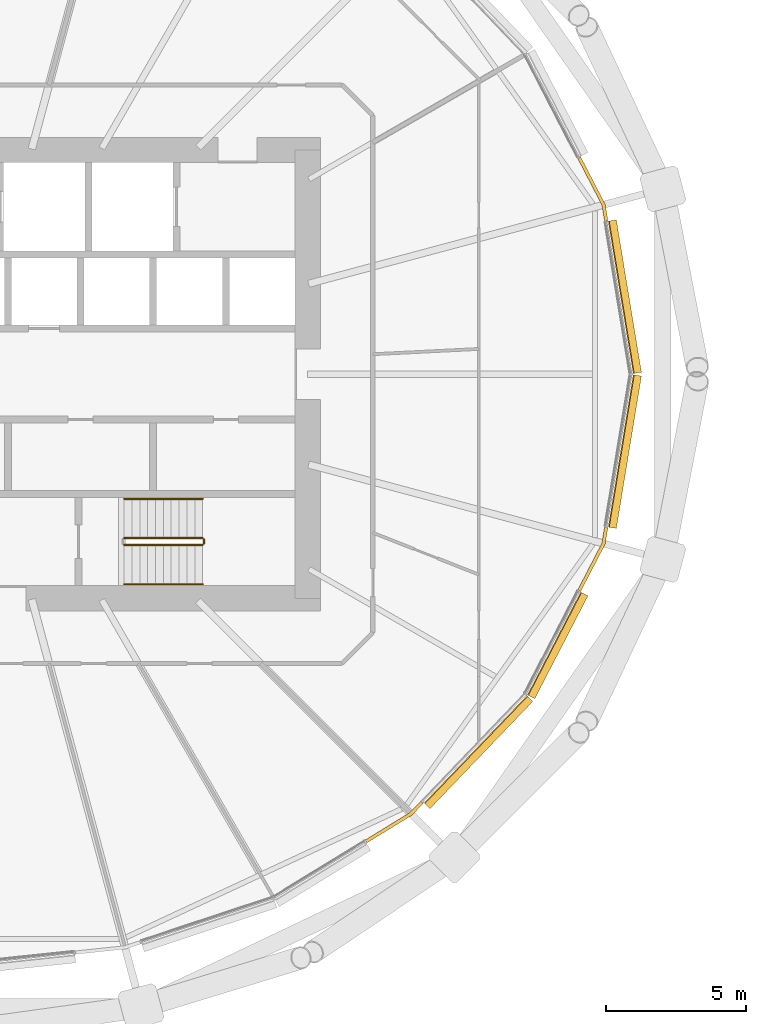
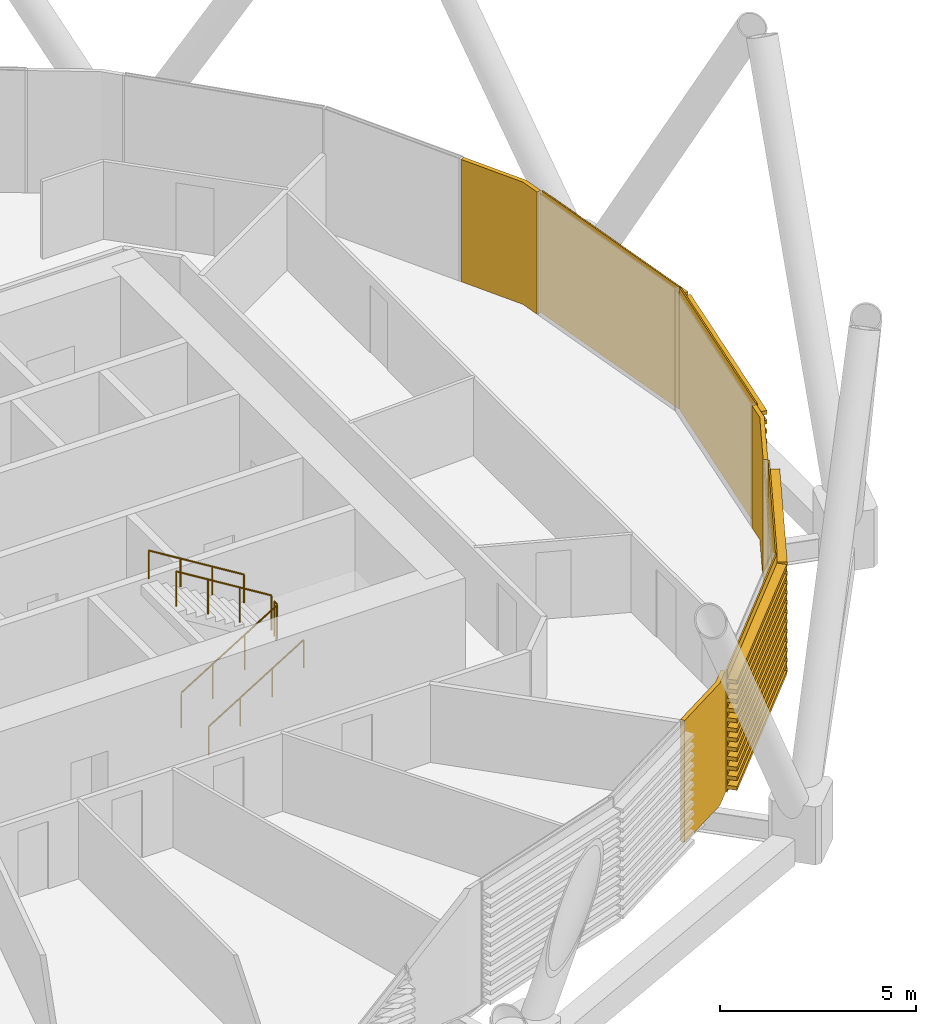
# One storey, part 31 of 36: 7 coverings, 5 railings.
"""IFC4 building model written with IfcOpenShell, lengths in metres."""

from ifc_helpers import new_model, si_unit, direction, frame, origin, origin_2d, place, context, subcontext, project, spatial, polyline, circle, outline, extrude, material, layer, layer_set, material_profile, profile_set, type_object, element, save


model = new_model("IFC4")

# Units and contexts
model_context = context("Model", 3, precision=1e-05, world=origin(), true_north=direction((0.0, 1.0)))
body_context = subcontext(model_context, "Body", "Model", "MODEL_VIEW")
ifc_project = project(units=[si_unit("LENGTHUNIT", "METRE"), si_unit("AREAUNIT", "SQUARE_METRE"), si_unit("VOLUMEUNIT", "CUBIC_METRE"), si_unit("PLANEANGLEUNIT", "RADIAN"), si_unit("MASSUNIT", "GRAM", prefix="KILO")], contexts=[model_context])

# Site, building, storey
site_placement = place(None, origin())
site = spatial("IfcSite", under=ifc_project, at=site_placement, CompositionType="ELEMENT")
building_placement = place(site_placement, origin())
building = spatial("IfcBuilding", under=site, at=building_placement, Name="Rimbun Link Towers", CompositionType="ELEMENT")
storey_placement = place(building_placement, frame((0.0, 0.0, 64.199951171875)))
storey = spatial("IfcBuildingStorey", under=building, at=storey_placement, Name="L15", CompositionType="ELEMENT", Elevation=64.199951171875)

# Coverings
ifc_material_1 = material(Name="Terracotta", Category="masonry")
ifc_layer = layer(ifc_material_1, 0.1201171875)
ifc_layer_set = layer_set([ifc_layer], Name="LINK PIER terracotta cladding 120")
covering_type_1 = type_object("IfcCoveringType", Name="LINK PIER terracotta cladding 120", PredefinedType="CLADDING", material=ifc_layer_set)
covering_1_placement = place(storey_placement, origin())
element("IfcCovering", 1, at=covering_1_placement, inside=storey, type_object=covering_type_1, Name="LINK PIER cladding", PredefinedType="CLADDING", context=body_context, shape_type="SweptSolid", body=[
    extrude(outline(polyline([(-10.106689453125, 7.6904296875), (-9.247314453125, 6.029541015625), (-9.15478515625, 5.467041015625), (-9.036376953125, 5.486572265625), (-9.1318359375, 6.06787109375), (-10.0, 7.74560546875), (-10.106689453125, 7.6904296875)])), origin(), (0.0, 0.0, 1.0), 3.800048828125),
])
covering_2_placement = place(storey_placement, origin())
element("IfcCovering", 2, at=covering_2_placement, inside=storey, type_object=covering_type_1, Name="LINK PIER cladding", PredefinedType="CLADDING", context=body_context, shape_type="SweptSolid", body=[
    extrude(outline(polyline([(-15.7080078125, -15.236083984375), (-16.102294921875, -15.647705078125), (-17.696044921875, -16.6259765625), (-17.63330078125, -16.728271484375), (-16.0263671875, -15.74169921875), (-15.621337890625, -15.319091796875), (-15.7080078125, -15.236083984375)])), origin(), (0.0, 0.0, 1.0), 3.800048828125),
])
covering_3_placement = place(storey_placement, origin())
element("IfcCovering", 3, at=covering_3_placement, inside=storey, type_object=covering_type_1, Name="LINK PIER cladding", PredefinedType="CLADDING", context=body_context, shape_type="SweptSolid", body=[
    extrude(outline(polyline([(-9.15478515625, -5.467041015625), (-9.247314453125, -6.029541015625), (-10.106689453125, -7.6904296875), (-10.0, -7.74560546875), (-9.1318359375, -6.06787109375), (-9.036376953125, -5.486572265625), (-9.15478515625, -5.467041015625)])), origin(), (0.0, 0.0, 1.0), 3.800048828125),
])

# Railings
ifc_material_2 = material(Name="Stainless steel grade 316", Category="steel")
railing_type_1 = type_object("IfcRailingType", Name="Stair guard", PredefinedType="GUARDRAIL", material=ifc_material_2)
railing_1_placement = place(storey_placement, frame((-26.300048828125, -6.10009765625, 0.1728515625)))
element("IfcRailing", 4, at=railing_1_placement, inside=storey, type_object=railing_type_1, Name="L15 ST2 stair guard 1", PredefinedType="GUARDRAIL", context=body_context, shape_type="SweptSolid", body=[
    extrude(circle(Radius=0.02392578125, at=origin_2d()), frame((0.0, 0.0, 1.076171875), z_axis=(0.851089632645, 0.0, 0.525020415988), x_axis=(0.0, 1.0, 0.0)), (0.0, 0.0, 1.0), 3.2900390625),
    extrude(circle(Radius=0.02099609375, at=origin_2d()), origin(), (0.0, 0.0, 1.0), 1.052001953125),
    extrude(circle(Radius=0.02099609375, at=origin_2d()), frame((0.933349609375, 0.0, 0.57568359375)), (0.0, 0.0, 1.0), 1.052001953125),
    extrude(circle(Radius=0.02099609375, at=origin_2d()), frame((1.86669921875, 0.0, 1.151611328125)), (0.0, 0.0, 1.0), 1.052001953125),
    extrude(circle(Radius=0.02099609375, at=origin_2d()), frame((2.800048828125, 0.0, 1.727294921875)), (0.0, 0.0, 1.0), 1.052001953125),
])
railing_2_placement = place(storey_placement, frame((-23.449951171875, -6.050048828125, 1.900146484375)))
element("IfcRailing", 5, at=railing_2_placement, inside=storey, type_object=railing_type_1, Name="L15 ST2 stair guard 2", PredefinedType="GUARDRAIL", context=body_context, shape_type="SweptSolid", body=[
    extrude(circle(Radius=0.02392578125, at=origin_2d()), frame((0.0, 0.0, 1.076171875), z_axis=(0.0, 1.0, 0.0), x_axis=(-1.0, 0.0, 0.0)), (0.0, 0.0, 1.0), 0.150146484375),
    extrude(circle(Radius=0.02099609375, at=origin_2d()), origin(), (0.0, 0.0, 1.0), 1.052001953125),
    extrude(circle(Radius=0.02099609375, at=origin_2d()), frame((0.0, 0.150146484375, 0.0)), (0.0, 0.0, 1.0), 1.052001953125),
])
railing_3_placement = place(storey_placement, frame((-23.5, -5.85009765625, 2.07275390625)))
element("IfcRailing", 6, at=railing_3_placement, inside=storey, type_object=railing_type_1, Name="L15 ST2 stair guard 3", PredefinedType="GUARDRAIL", context=body_context, shape_type="SweptSolid", body=[
    extrude(circle(Radius=0.02392578125, at=origin_2d()), frame((0.0, 0.0, 1.076171875), z_axis=(-0.851089632645, 0.0, 0.525020415988), x_axis=(0.0, -1.0, 0.0)), (0.0, 0.0, 1.0), 3.2900390625),
    extrude(circle(Radius=0.02099609375, at=origin_2d()), origin(), (0.0, 0.0, 1.0), 1.052001953125),
    extrude(circle(Radius=0.02099609375, at=origin_2d()), frame((-0.933349609375, 0.0, 0.57568359375)), (0.0, 0.0, 1.0), 1.052001953125),
    extrude(circle(Radius=0.02099609375, at=origin_2d()), frame((-1.86669921875, 0.0, 1.151611328125)), (0.0, 0.0, 1.0), 1.052001953125),
    extrude(circle(Radius=0.02099609375, at=origin_2d()), frame((-2.800048828125, 0.0, 1.727294921875)), (0.0, 0.0, 1.0), 1.052001953125),
])
ifc_material_3 = material(Name="Stainless steel grade 316", Category="steel")
railing_type_2 = type_object("IfcRailingType", Name="Stair handrail", PredefinedType="HANDRAIL", material=ifc_material_3)
railing_4_placement = place(storey_placement, frame((-26.300048828125, -7.5, 0.1728515625)))
element("IfcRailing", 7, at=railing_4_placement, inside=storey, type_object=railing_type_2, Name="L15 ST2 stair handrail 1", PredefinedType="HANDRAIL", context=body_context, shape_type="SweptSolid", body=[
    extrude(circle(Radius=0.02392578125, at=origin_2d()), frame((0.0, 0.0, 0.8759765625), z_axis=(0.851089632645, 0.0, 0.525020415988), x_axis=(0.0, 1.0, 0.0)), (0.0, 0.0, 1.0), 3.2900390625),
    extrude(circle(Radius=0.02099609375, at=origin_2d()), origin(), (0.0, 0.0, 1.0), 0.851806640625),
    extrude(circle(Radius=0.02099609375, at=origin_2d()), frame((0.933349609375, 0.0, 0.57568359375)), (0.0, 0.0, 1.0), 0.851806640625),
    extrude(circle(Radius=0.02099609375, at=origin_2d()), frame((1.86669921875, 0.0, 1.151611328125)), (0.0, 0.0, 1.0), 0.851806640625),
    extrude(circle(Radius=0.02099609375, at=origin_2d()), frame((2.800048828125, 0.0, 1.727294921875)), (0.0, 0.0, 1.0), 0.851806640625),
])
railing_5_placement = place(storey_placement, frame((-23.5, -4.449951171875, 2.07275390625)))
element("IfcRailing", 8, at=railing_5_placement, inside=storey, type_object=railing_type_2, Name="L15 ST2 stair handrail 2", PredefinedType="HANDRAIL", context=body_context, shape_type="SweptSolid", body=[
    extrude(circle(Radius=0.02392578125, at=origin_2d()), frame((0.0, 0.0, 0.8759765625), z_axis=(-0.851089632645, 0.0, 0.525020415988), x_axis=(0.0, -1.0, 0.0)), (0.0, 0.0, 1.0), 3.2900390625),
    extrude(circle(Radius=0.02099609375, at=origin_2d()), origin(), (0.0, 0.0, 1.0), 0.851806640625),
    extrude(circle(Radius=0.02099609375, at=origin_2d()), frame((-0.933349609375, 0.0, 0.57568359375)), (0.0, 0.0, 1.0), 0.851806640625),
    extrude(circle(Radius=0.02099609375, at=origin_2d()), frame((-1.86669921875, 0.0, 1.151611328125)), (0.0, 0.0, 1.0), 0.851806640625),
    extrude(circle(Radius=0.02099609375, at=origin_2d()), frame((-2.800048828125, 0.0, 1.727294921875)), (0.0, 0.0, 1.0), 0.851806640625),
])

# Coverings
ifc_material_4 = material(Name="Terracotta", Category="masonry")
ifc_material_profile = material_profile(ifc_material_4, outline(polyline([(0.123046875, 0.0), (0.1630859375, 0.0), (0.1630859375, 0.10009765625), (0.423095703125, 0.10009765625), (0.423095703125, 0.219970703125), (0.1630859375, 0.219970703125), (0.1630859375, 0.39990234375), (0.423095703125, 0.39990234375), (0.423095703125, 0.52001953125), (0.1630859375, 0.52001953125), (0.1630859375, 0.699951171875), (0.423095703125, 0.699951171875), (0.423095703125, 0.820068359375), (0.1630859375, 0.820068359375), (0.1630859375, 1.0), (0.423095703125, 1.0), (0.423095703125, 1.1201171875), (0.1630859375, 1.1201171875), (0.1630859375, 1.300048828125), (0.423095703125, 1.300048828125), (0.423095703125, 1.419921875), (0.1630859375, 1.419921875), (0.1630859375, 1.60009765625), (0.423095703125, 1.60009765625), (0.423095703125, 1.719970703125), (0.1630859375, 1.719970703125), (0.1630859375, 1.89990234375), (0.423095703125, 1.89990234375), (0.423095703125, 2.02001953125), (0.1630859375, 2.02001953125), (0.1630859375, 2.199951171875), (0.423095703125, 2.199951171875), (0.423095703125, 2.320068359375), (0.1630859375, 2.320068359375), (0.1630859375, 2.5), (0.423095703125, 2.5), (0.423095703125, 2.6201171875), (0.1630859375, 2.6201171875), (0.1630859375, 2.800048828125), (0.423095703125, 2.800048828125), (0.423095703125, 2.919921875), (0.1630859375, 2.919921875), (0.1630859375, 3.10009765625), (0.423095703125, 3.10009765625), (0.423095703125, 3.219970703125), (0.1630859375, 3.219970703125), (0.1630859375, 3.39990234375), (0.423095703125, 3.39990234375), (0.423095703125, 3.52001953125), (0.1630859375, 3.52001953125), (0.1630859375, 3.800048828125), (0.123046875, 3.800048828125), (0.123046875, 0.0)])), Name="BAGUETTE 120X300")
ifc_profile_set = profile_set([ifc_material_profile], Name="Terracotta")
covering_type_2 = type_object("IfcCoveringType", Name="TERRACOTTA BAGUETTE 120X300 H3800", PredefinedType="CLADDING", material=ifc_profile_set)
covering_4_placement = place(storey_placement, frame((-9.14990234375, 5.4375, 0.0), z_axis=(0.162286376516, -0.986743701271, 0.0), x_axis=(0.986743701271, 0.162286376516, 0.0)))
element("IfcCovering", 9, at=covering_4_placement, inside=storey, type_object=covering_type_2, Name="TERRACOTTA BAGUETTE", PredefinedType="CLADDING", context=body_context, shape_type="SweptSolid", body=[
    extrude(outline(polyline([(0.123046875, 0.0), (0.1630859375, 0.0), (0.1630859375, 0.10009765625), (0.423095703125, 0.10009765625), (0.423095703125, 0.219970703125), (0.1630859375, 0.219970703125), (0.1630859375, 0.39990234375), (0.423095703125, 0.39990234375), (0.423095703125, 0.52001953125), (0.1630859375, 0.52001953125), (0.1630859375, 0.699951171875), (0.423095703125, 0.699951171875), (0.423095703125, 0.820068359375), (0.1630859375, 0.820068359375), (0.1630859375, 1.0), (0.423095703125, 1.0), (0.423095703125, 1.1201171875), (0.1630859375, 1.1201171875), (0.1630859375, 1.300048828125), (0.423095703125, 1.300048828125), (0.423095703125, 1.419921875), (0.1630859375, 1.419921875), (0.1630859375, 1.60009765625), (0.423095703125, 1.60009765625), (0.423095703125, 1.719970703125), (0.1630859375, 1.719970703125), (0.1630859375, 1.89990234375), (0.423095703125, 1.89990234375), (0.423095703125, 2.02001953125), (0.1630859375, 2.02001953125), (0.1630859375, 2.199951171875), (0.423095703125, 2.199951171875), (0.423095703125, 2.320068359375), (0.1630859375, 2.320068359375), (0.1630859375, 2.5), (0.423095703125, 2.5), (0.423095703125, 2.6201171875), (0.1630859375, 2.6201171875), (0.1630859375, 2.800048828125), (0.423095703125, 2.800048828125), (0.423095703125, 2.919921875), (0.1630859375, 2.919921875), (0.1630859375, 3.10009765625), (0.423095703125, 3.10009765625), (0.423095703125, 3.219970703125), (0.1630859375, 3.219970703125), (0.1630859375, 3.39990234375), (0.423095703125, 3.39990234375), (0.423095703125, 3.52001953125), (0.1630859375, 3.52001953125), (0.1630859375, 3.800048828125), (0.123046875, 3.800048828125), (0.123046875, 0.0)])), origin(), (0.0, 0.0, 1.0), 5.510498046875),
])
covering_5_placement = place(storey_placement, frame((-12.02099609375, -11.390380859375, 0.0), z_axis=(-0.6920414756, -0.721857739482, 0.0), x_axis=(0.721857739482, -0.6920414756, 0.0)))
element("IfcCovering", 10, at=covering_5_placement, inside=storey, type_object=covering_type_2, Name="TERRACOTTA BAGUETTE", PredefinedType="CLADDING", context=body_context, shape_type="SweptSolid", body=[
    extrude(outline(polyline([(0.123046875, 0.0), (0.1630859375, 0.0), (0.1630859375, 0.10009765625), (0.423095703125, 0.10009765625), (0.423095703125, 0.219970703125), (0.1630859375, 0.219970703125), (0.1630859375, 0.39990234375), (0.423095703125, 0.39990234375), (0.423095703125, 0.52001953125), (0.1630859375, 0.52001953125), (0.1630859375, 0.699951171875), (0.423095703125, 0.699951171875), (0.423095703125, 0.820068359375), (0.1630859375, 0.820068359375), (0.1630859375, 1.0), (0.423095703125, 1.0), (0.423095703125, 1.1201171875), (0.1630859375, 1.1201171875), (0.1630859375, 1.300048828125), (0.423095703125, 1.300048828125), (0.423095703125, 1.419921875), (0.1630859375, 1.419921875), (0.1630859375, 1.60009765625), (0.423095703125, 1.60009765625), (0.423095703125, 1.719970703125), (0.1630859375, 1.719970703125), (0.1630859375, 1.89990234375), (0.423095703125, 1.89990234375), (0.423095703125, 2.02001953125), (0.1630859375, 2.02001953125), (0.1630859375, 2.199951171875), (0.423095703125, 2.199951171875), (0.423095703125, 2.320068359375), (0.1630859375, 2.320068359375), (0.1630859375, 2.5), (0.423095703125, 2.5), (0.423095703125, 2.6201171875), (0.1630859375, 2.6201171875), (0.1630859375, 2.800048828125), (0.423095703125, 2.800048828125), (0.423095703125, 2.919921875), (0.1630859375, 2.919921875), (0.1630859375, 3.10009765625), (0.423095703125, 3.10009765625), (0.423095703125, 3.219970703125), (0.1630859375, 3.219970703125), (0.1630859375, 3.39990234375), (0.423095703125, 3.39990234375), (0.423095703125, 3.52001953125), (0.1630859375, 3.52001953125), (0.1630859375, 3.800048828125), (0.123046875, 3.800048828125), (0.123046875, 0.0)])), origin(), (0.0, 0.0, 1.0), 5.2978515625),
])
covering_6_placement = place(storey_placement, frame((-10.120361328125, -7.717041015625, 0.0), z_axis=(-0.459543354424, -0.888155338556, 0.0), x_axis=(0.888155338556, -0.459543354424, 0.0)))
element("IfcCovering", 11, at=covering_6_placement, inside=storey, type_object=covering_type_2, Name="TERRACOTTA BAGUETTE", PredefinedType="CLADDING", context=body_context, shape_type="SweptSolid", body=[
    extrude(outline(polyline([(0.123046875, 0.0), (0.1630859375, 0.0), (0.1630859375, 0.10009765625), (0.423095703125, 0.10009765625), (0.423095703125, 0.219970703125), (0.1630859375, 0.219970703125), (0.1630859375, 0.39990234375), (0.423095703125, 0.39990234375), (0.423095703125, 0.52001953125), (0.1630859375, 0.52001953125), (0.1630859375, 0.699951171875), (0.423095703125, 0.699951171875), (0.423095703125, 0.820068359375), (0.1630859375, 0.820068359375), (0.1630859375, 1.0), (0.423095703125, 1.0), (0.423095703125, 1.1201171875), (0.1630859375, 1.1201171875), (0.1630859375, 1.300048828125), (0.423095703125, 1.300048828125), (0.423095703125, 1.419921875), (0.1630859375, 1.419921875), (0.1630859375, 1.60009765625), (0.423095703125, 1.60009765625), (0.423095703125, 1.719970703125), (0.1630859375, 1.719970703125), (0.1630859375, 1.89990234375), (0.423095703125, 1.89990234375), (0.423095703125, 2.02001953125), (0.1630859375, 2.02001953125), (0.1630859375, 2.199951171875), (0.423095703125, 2.199951171875), (0.423095703125, 2.320068359375), (0.1630859375, 2.320068359375), (0.1630859375, 2.5), (0.423095703125, 2.5), (0.423095703125, 2.6201171875), (0.1630859375, 2.6201171875), (0.1630859375, 2.800048828125), (0.423095703125, 2.800048828125), (0.423095703125, 2.919921875), (0.1630859375, 2.919921875), (0.1630859375, 3.10009765625), (0.423095703125, 3.10009765625), (0.423095703125, 3.219970703125), (0.1630859375, 3.219970703125), (0.1630859375, 3.39990234375), (0.423095703125, 3.39990234375), (0.423095703125, 3.52001953125), (0.1630859375, 3.52001953125), (0.1630859375, 3.800048828125), (0.123046875, 3.800048828125), (0.123046875, 0.0)])), origin(), (0.0, 0.0, 1.0), 4.135986328125),
])
covering_7_placement = place(storey_placement, frame((-8.255615234375, 0.0, 0.0), z_axis=(-0.162286376516, -0.986743701271, 0.0), x_axis=(0.986743701271, -0.162286376516, 0.0)))
element("IfcCovering", 12, at=covering_7_placement, inside=storey, type_object=covering_type_2, Name="TERRACOTTA BAGUETTE", PredefinedType="CLADDING", context=body_context, shape_type="SweptSolid", body=[
    extrude(outline(polyline([(0.123046875, 0.0), (0.1630859375, 0.0), (0.1630859375, 0.10009765625), (0.423095703125, 0.10009765625), (0.423095703125, 0.219970703125), (0.1630859375, 0.219970703125), (0.1630859375, 0.39990234375), (0.423095703125, 0.39990234375), (0.423095703125, 0.52001953125), (0.1630859375, 0.52001953125), (0.1630859375, 0.699951171875), (0.423095703125, 0.699951171875), (0.423095703125, 0.820068359375), (0.1630859375, 0.820068359375), (0.1630859375, 1.0), (0.423095703125, 1.0), (0.423095703125, 1.1201171875), (0.1630859375, 1.1201171875), (0.1630859375, 1.300048828125), (0.423095703125, 1.300048828125), (0.423095703125, 1.419921875), (0.1630859375, 1.419921875), (0.1630859375, 1.60009765625), (0.423095703125, 1.60009765625), (0.423095703125, 1.719970703125), (0.1630859375, 1.719970703125), (0.1630859375, 1.89990234375), (0.423095703125, 1.89990234375), (0.423095703125, 2.02001953125), (0.1630859375, 2.02001953125), (0.1630859375, 2.199951171875), (0.423095703125, 2.199951171875), (0.423095703125, 2.320068359375), (0.1630859375, 2.320068359375), (0.1630859375, 2.5), (0.423095703125, 2.5), (0.423095703125, 2.6201171875), (0.1630859375, 2.6201171875), (0.1630859375, 2.800048828125), (0.423095703125, 2.800048828125), (0.423095703125, 2.919921875), (0.1630859375, 2.919921875), (0.1630859375, 3.10009765625), (0.423095703125, 3.10009765625), (0.423095703125, 3.219970703125), (0.1630859375, 3.219970703125), (0.1630859375, 3.39990234375), (0.423095703125, 3.39990234375), (0.423095703125, 3.52001953125), (0.1630859375, 3.52001953125), (0.1630859375, 3.800048828125), (0.123046875, 3.800048828125), (0.123046875, 0.0)])), origin(), (0.0, 0.0, 1.0), 5.510498046875),
])

save(model, "model.ifc")
